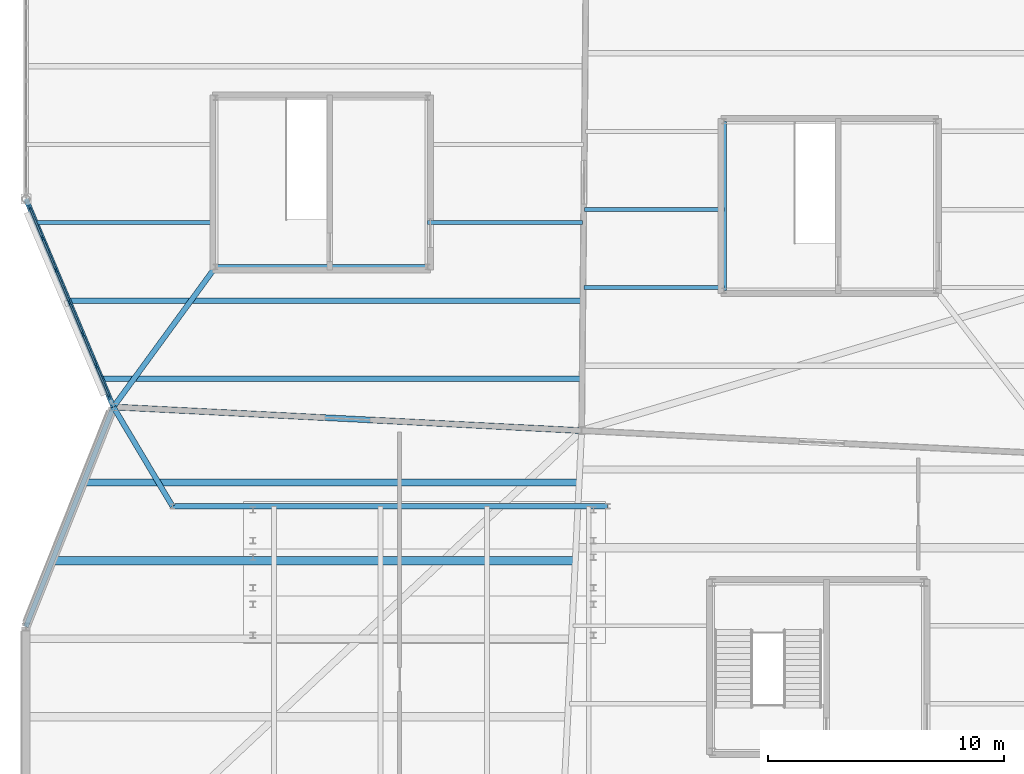
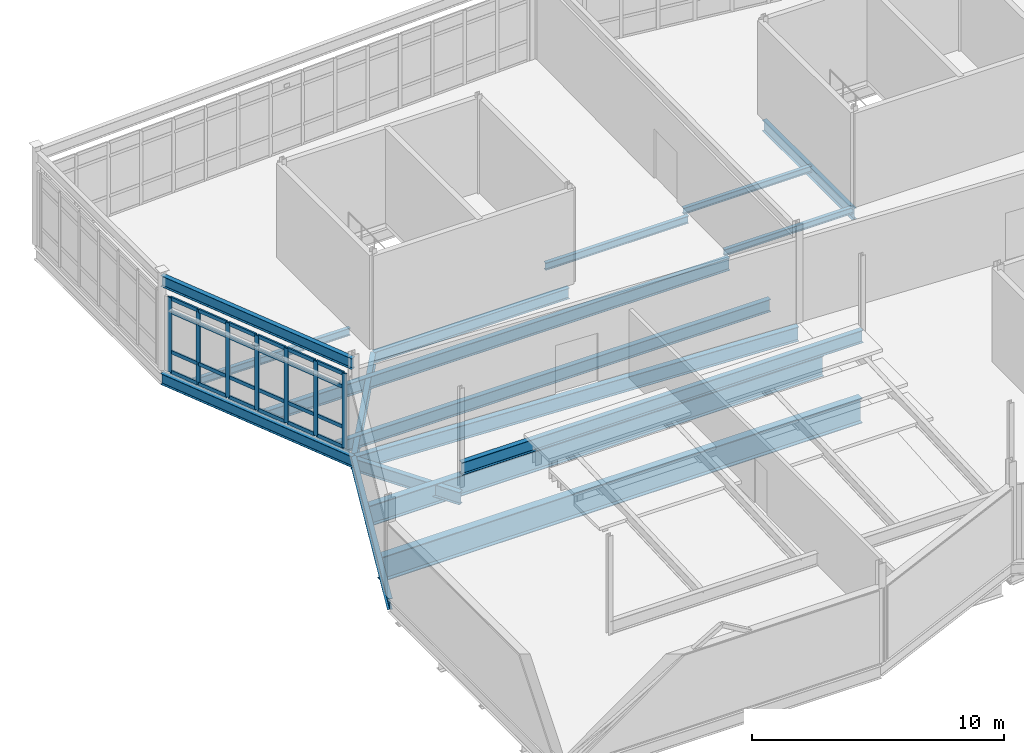
# One storey, part 26 of 134: 31 members, 17 beams, 1 element without a shape of its own.
"""IFC4 building model written with IfcOpenShell, lengths in metres."""

from ifc_helpers import new_model, si_unit, direction, frame, origin, origin_2d, place, context, subcontext, project, spatial, rectangle, i_section, extrude, material, material_profile, profile_set, type_object, element, aggregate, save


model = new_model("IFC4")

# Units and contexts
model_context = context("Model", 3, precision=1e-05, world=origin(), true_north=direction((0.0, 1.0)))
body_context = subcontext(model_context, "Body", "Model", "MODEL_VIEW")
ifc_project = project(units=[si_unit("LENGTHUNIT", "METRE"), si_unit("AREAUNIT", "SQUARE_METRE"), si_unit("VOLUMEUNIT", "CUBIC_METRE"), si_unit("PLANEANGLEUNIT", "RADIAN"), si_unit("MASSUNIT", "GRAM", prefix="KILO")], contexts=[model_context])

# Site, building, storey
site_placement = place(None, origin())
site = spatial("IfcSite", under=ifc_project, at=site_placement, CompositionType="ELEMENT")
building_placement = place(site_placement, origin())
building = spatial("IfcBuilding", under=site, at=building_placement, Name="Tameran Prism Museum", CompositionType="ELEMENT")
storey_placement = place(building_placement, frame((0.0, 0.0, 5.39990234375)))
storey = spatial("IfcBuildingStorey", under=building, at=storey_placement, Name="L01", CompositionType="ELEMENT", Elevation=5.39990234375)

# Beams
ifc_material_1 = material(Name="Steel Grade 300PLUS (300 MPa)", Category="steel")
ifc_material_profile_1 = material_profile(ifc_material_1, i_section(OverallWidth=0.166015625, OverallDepth=0.306884765625, WebThickness=0.006591796875, FlangeThickness=0.01171875, FilletRadius=0.011474609375, at=origin_2d()))
ifc_profile_set_1 = profile_set([ifc_material_profile_1])
beam_type_1 = type_object("IfcBeamType", Name="BM-J310A", PredefinedType="JOIST", material=ifc_profile_set_1)
beam_1_placement = place(storey_placement, frame((23.597900390625, 28.050048828125, -0.353515625), z_axis=(1.0, 0.0, 0.0), x_axis=(0.0, 1.0, 0.0)))
element("IfcBeam", 1, at=beam_1_placement, inside=storey, type_object=beam_type_1, Name="Floor Beam BM-0606", PredefinedType="JOIST", context=body_context, shape_type="SweptSolid", body=[
    extrude(i_section(OverallWidth=0.166015625, OverallDepth=0.306884765625, WebThickness=0.006591796875, FlangeThickness=0.01171875, FilletRadius=0.011474609375, at=origin_2d()), origin(), (0.0, 0.0, 1.0), 5.922119140625),
])
ifc_material_2 = material(Name="Steel Grade 300PLUS (300 MPa)", Category="steel")
ifc_material_profile_2 = material_profile(ifc_material_2, i_section(OverallWidth=0.1650390625, OverallDepth=0.303955078125, WebThickness=0.006103515625, FlangeThickness=0.01025390625, FilletRadius=0.011474609375, at=origin_2d()))
ifc_profile_set_2 = profile_set([ifc_material_profile_2])
beam_type_2 = type_object("IfcBeamType", Name="BM-J310B", PredefinedType="JOIST", material=ifc_profile_set_2)
beam_2_placement = place(storey_placement, frame((23.62890625, 31.35009765625, -0.351806640625), z_axis=(1.0, 0.0, 0.0), x_axis=(0.0, 1.0, 0.0)))
element("IfcBeam", 2, at=beam_2_placement, inside=storey, type_object=beam_type_2, Name="Floor Beam BM-0608", PredefinedType="JOIST", context=body_context, shape_type="SweptSolid", body=[
    extrude(i_section(OverallWidth=0.1650390625, OverallDepth=0.303955078125, WebThickness=0.006103515625, FlangeThickness=0.01025390625, FilletRadius=0.011474609375, at=origin_2d()), origin(), (0.0, 0.0, 1.0), 5.89111328125),
])
ifc_material_3 = material(Name="Steel Grade 300PLUS (300 MPa)", Category="steel")
ifc_material_profile_3 = material_profile(ifc_material_3, i_section(OverallWidth=0.1708984375, OverallDepth=0.35595703125, WebThickness=0.00732421875, FlangeThickness=0.011474609375, FilletRadius=0.011474609375, at=origin_2d()))
ifc_profile_set_3 = profile_set([ifc_material_profile_3])
beam_type_3 = type_object("IfcBeamType", Name="BM-J360B", PredefinedType="JOIST", material=ifc_profile_set_3)
beam_3_placement = place(storey_placement, frame((0.464111328125, 30.800048828125, -0.3779296875), z_axis=(1.0, 0.0, 0.0), x_axis=(0.0, 1.0, 0.0)))
element("IfcBeam", 3, at=beam_3_placement, inside=storey, type_object=beam_type_3, Name="Floor Beam BM-0599", PredefinedType="JOIST", context=body_context, shape_type="SweptSolid", body=[
    extrude(i_section(OverallWidth=0.1708984375, OverallDepth=0.35595703125, WebThickness=0.00732421875, FlangeThickness=0.011474609375, FilletRadius=0.011474609375, at=origin_2d()), origin(), (0.0, 0.0, 1.0), 7.555908203125),
])
beam_4_placement = place(storey_placement, frame((16.97998046875, 30.800048828125, -0.3779296875), z_axis=(1.0, 0.0, 0.0), x_axis=(0.0, 1.0, 0.0)))
element("IfcBeam", 4, at=beam_4_placement, inside=storey, type_object=beam_type_3, Name="Floor Beam BM-0600", PredefinedType="JOIST", context=body_context, shape_type="SweptSolid", body=[
    extrude(i_section(OverallWidth=0.1708984375, OverallDepth=0.35595703125, WebThickness=0.00732421875, FlangeThickness=0.011474609375, FilletRadius=0.011474609375, at=origin_2d()), origin(), (0.0, 0.0, 1.0), 6.56396484375),
])
ifc_material_4 = material(Name="Steel Grade 300PLUS (300 MPa)", Category="steel")
ifc_material_profile_4 = material_profile(ifc_material_4, i_section(OverallWidth=0.208984375, OverallDepth=0.532958984375, WebThickness=0.01025390625, FlangeThickness=0.015625, FilletRadius=0.013916015625, at=origin_2d()))
ifc_profile_set_4 = profile_set([ifc_material_profile_4])
beam_type_4 = type_object("IfcBeamType", Name="BM-SP530A", PredefinedType="SPANDREL", material=ifc_profile_set_4)
beam_5_placement = place(storey_placement, frame((3.699951171875, 23.0, -0.46630859375), z_axis=(-0.369661561468, -0.929166470538, 0.0), x_axis=(0.929166470538, -0.369661561468, 0.0)))
element("IfcBeam", 5, at=beam_5_placement, inside=storey, type_object=beam_type_4, Name="Perimeter Spandrel SP-0385", PredefinedType="SPANDREL", context=body_context, shape_type="SweptSolid", body=[
    extrude(i_section(OverallWidth=0.208984375, OverallDepth=0.532958984375, WebThickness=0.01025390625, FlangeThickness=0.015625, FilletRadius=0.013916015625, at=origin_2d()), origin(), (0.0, 0.0, 1.0), 10.009033203125),
])
beam_6_placement = place(storey_placement, frame((0.0, 31.800048828125, -0.46630859375), z_axis=(0.387582465314, -0.921835035449, 0.0), x_axis=(0.921835035449, 0.387582465314, 0.0)))
element("IfcBeam", 6, at=beam_6_placement, inside=storey, type_object=beam_type_4, Name="Perimeter Spandrel SP-0399", PredefinedType="SPANDREL", context=body_context, shape_type="SweptSolid", body=[
    extrude(i_section(OverallWidth=0.208984375, OverallDepth=0.532958984375, WebThickness=0.01025390625, FlangeThickness=0.015625, FilletRadius=0.013916015625, at=origin_2d()), origin(), (0.0, 0.0, 1.0), 9.546142578125),
])
ifc_material_5 = material(Name="Steel Grade 300PLUS (300 MPa)", Category="steel")
ifc_material_profile_5 = material_profile(ifc_material_5, i_section(OverallWidth=0.208984375, OverallDepth=0.528076171875, WebThickness=0.009521484375, FlangeThickness=0.01318359375, FilletRadius=0.013916015625, at=origin_2d()))
ifc_profile_set_5 = profile_set([ifc_material_profile_5])
beam_type_5 = type_object("IfcBeamType", Name="BM-SP530B", PredefinedType="SPANDREL", material=ifc_profile_set_5)
beam_7_placement = place(storey_placement, frame((0.0, 31.800048828125, 4.2861328125), z_axis=(0.387582465314, -0.921835035449, 0.0), x_axis=(0.921835035449, 0.387582465314, 0.0)))
element("IfcBeam", 7, at=beam_7_placement, inside=storey, type_object=beam_type_5, Name="Roof Ring Beam RB-0403", PredefinedType="SPANDREL", context=body_context, shape_type="SweptSolid", body=[
    extrude(i_section(OverallWidth=0.208984375, OverallDepth=0.528076171875, WebThickness=0.009521484375, FlangeThickness=0.01318359375, FilletRadius=0.013916015625, at=origin_2d()), origin(), (0.0, 0.0, 1.0), 9.546142578125),
])
beam_8_placement = place(storey_placement, frame((8.02001953125, 28.919921875, -0.50390625), z_axis=(1.0, 0.0, 0.0), x_axis=(0.0, 1.0, 0.0)))
element("IfcBeam", 8, at=beam_8_placement, inside=storey, type_object=beam_type_5, Name="Core Ring Beam CTB-0474", PredefinedType="SPANDREL", context=body_context, shape_type="SweptSolid", body=[
    extrude(i_section(OverallWidth=0.208984375, OverallDepth=0.528076171875, WebThickness=0.009521484375, FlangeThickness=0.01318359375, FilletRadius=0.013916015625, at=origin_2d()), origin(), (0.0, 0.0, 1.0), 8.9599609375),
])
beam_9_placement = place(storey_placement, frame((29.52001953125, 35.080078125, -0.50390625), z_axis=(0.0, -1.0, 0.0), x_axis=(1.0, 0.0, 0.0)))
element("IfcBeam", 9, at=beam_9_placement, inside=storey, type_object=beam_type_5, Name="Core Ring Beam CTB-0485", PredefinedType="SPANDREL", context=body_context, shape_type="SweptSolid", body=[
    extrude(i_section(OverallWidth=0.208984375, OverallDepth=0.528076171875, WebThickness=0.009521484375, FlangeThickness=0.01318359375, FilletRadius=0.013916015625, at=origin_2d()), origin(), (0.0, 0.0, 1.0), 7.16015625),
])
ifc_material_6 = material(Name="Steel Grade 350 (350 MPa)", Category="steel")
ifc_material_profile_6 = material_profile(ifc_material_6, i_section(OverallWidth=0.25, OverallDepth=0.699951171875, WebThickness=0.010009765625, FlangeThickness=0.02001953125, at=origin_2d()))
ifc_profile_set_6 = profile_set([ifc_material_profile_6])
beam_type_6 = type_object("IfcBeamType", Name="BM-SP700", PredefinedType="SPANDREL", material=ifc_profile_set_6)
beam_10_placement = place(storey_placement, frame((23.5, 22.0, -0.5498046875), z_axis=(-0.99872706092, 0.050440636263, 0.0), x_axis=(-0.050440636263, -0.99872706092, 0.0)))
element("IfcBeam", 10, at=beam_10_placement, inside=storey, type_object=beam_type_6, Name="Perimeter Spandrel SP-0384", PredefinedType="SPANDREL", context=body_context, shape_type="SweptSolid", body=[
    extrude(i_section(OverallWidth=0.25, OverallDepth=0.699951171875, WebThickness=0.010009765625, FlangeThickness=0.02001953125, at=origin_2d()), origin(), (0.0, 0.0, 1.0), 19.8251953125),
])
ifc_material_7 = material(Name="Steel Grade 300PLUS (300 MPa)", Category="steel")
ifc_material_profile_7 = material_profile(ifc_material_7, i_section(OverallWidth=0.22900390625, OverallDepth=0.612060546875, WebThickness=0.011962890625, FlangeThickness=0.01953125, FilletRadius=0.013916015625, at=origin_2d()))
ifc_profile_set_7 = profile_set([ifc_material_profile_7])
beam_type_7 = type_object("IfcBeamType", Name="BM-UB610A", PredefinedType="BEAM", material=ifc_profile_set_7)
beam_11_placement = place(storey_placement, frame((8.02001953125, 28.919921875, -0.559814453125), z_axis=(-0.589480232684, -0.807782802042, 0.0), x_axis=(0.807782802042, -0.589480232684, 0.0)))
element("IfcBeam", 11, at=beam_11_placement, inside=storey, type_object=beam_type_7, Name="Frame Tie Girder FG-1427", PredefinedType="BEAM", context=body_context, shape_type="SweptSolid", body=[
    extrude(i_section(OverallWidth=0.22900390625, OverallDepth=0.612060546875, WebThickness=0.011962890625, FlangeThickness=0.01953125, FilletRadius=0.013916015625, at=origin_2d()), origin(), (0.0, 0.0, 1.0), 7.32861328125),
])
beam_12_placement = place(storey_placement, frame((6.199951171875, 18.800048828125, -0.559814453125), z_axis=(-0.511488250512, 0.859290270856, 0.0), x_axis=(-0.859290270856, -0.511488250512, 0.0)))
element("IfcBeam", 12, at=beam_12_placement, inside=storey, type_object=beam_type_7, Name="Frame Tie Girder FG-1439", PredefinedType="BEAM", context=body_context, shape_type="SweptSolid", body=[
    extrude(i_section(OverallWidth=0.22900390625, OverallDepth=0.612060546875, WebThickness=0.011962890625, FlangeThickness=0.01953125, FilletRadius=0.013916015625, at=origin_2d()), origin(), (0.0, 0.0, 1.0), 4.8876953125),
])
beam_13_placement = place(storey_placement, frame((6.199951171875, 18.800048828125, 0.880126953125), z_axis=(1.0, 0.0, 0.0), x_axis=(0.0, 1.0, 0.0)))
element("IfcBeam", 13, at=beam_13_placement, inside=storey, type_object=beam_type_7, Name="Auditorium Raker Rear Girder RKH-1447", PredefinedType="BEAM", context=body_context, shape_type="SweptSolid", body=[
    extrude(i_section(OverallWidth=0.22900390625, OverallDepth=0.612060546875, WebThickness=0.011962890625, FlangeThickness=0.01953125, FilletRadius=0.013916015625, at=origin_2d()), origin(), (0.0, 0.0, 1.0), 18.400146484375),
])
ifc_material_8 = material(Name="Steel Grade 300PLUS (300 MPa)", Category="steel")
ifc_material_profile_8 = material_profile(ifc_material_8, i_section(OverallWidth=0.22802734375, OverallDepth=0.60693359375, WebThickness=0.01123046875, FlangeThickness=0.017333984375, FilletRadius=0.013916015625, at=origin_2d()))
ifc_profile_set_8 = profile_set([ifc_material_profile_8])
beam_type_8 = type_object("IfcBeamType", Name="BM-UB610B", PredefinedType="BEAM", material=ifc_profile_set_8)
beam_14_placement = place(storey_placement, frame((3.239013671875, 24.199951171875, -0.50341796875), z_axis=(1.0, 0.0, 0.0), x_axis=(0.0, 1.0, 0.0)))
element("IfcBeam", 14, at=beam_14_placement, inside=storey, type_object=beam_type_8, Name="Floor Beam BM-0597", PredefinedType="BEAM", context=body_context, shape_type="SweptSolid", body=[
    extrude(i_section(OverallWidth=0.22802734375, OverallDepth=0.60693359375, WebThickness=0.01123046875, FlangeThickness=0.017333984375, FilletRadius=0.013916015625, at=origin_2d()), origin(), (0.0, 0.0, 1.0), 20.241943359375),
])
beam_15_placement = place(storey_placement, frame((1.85107421875, 27.5, -0.50341796875), z_axis=(1.0, 0.0, 0.0), x_axis=(0.0, 1.0, 0.0)))
element("IfcBeam", 15, at=beam_15_placement, inside=storey, type_object=beam_type_8, Name="Floor Beam BM-0598", PredefinedType="BEAM", context=body_context, shape_type="SweptSolid", body=[
    extrude(i_section(OverallWidth=0.22802734375, OverallDepth=0.60693359375, WebThickness=0.01123046875, FlangeThickness=0.017333984375, FilletRadius=0.013916015625, at=origin_2d()), origin(), (0.0, 0.0, 1.0), 21.660888671875),
])
ifc_material_9 = material(Name="Steel Grade 350 (350 MPa)", Category="steel")
ifc_material_profile_9 = material_profile(ifc_material_9, i_section(OverallWidth=0.300048828125, OverallDepth=1.0, WebThickness=0.01611328125, FlangeThickness=0.031982421875, at=origin_2d()))
ifc_profile_set_9 = profile_set([ifc_material_profile_9])
beam_type_9 = type_object("IfcBeamType", Name="BM-WB1000", PredefinedType="BEAM", material=ifc_profile_set_9)
beam_16_placement = place(storey_placement, frame((2.469970703125, 19.800048828125, -0.699951171875), z_axis=(1.0, 0.0, 0.0), x_axis=(0.0, 1.0, 0.0)))
element("IfcBeam", 16, at=beam_16_placement, inside=storey, type_object=beam_type_9, Name="Floor Beam BM-0588", PredefinedType="BEAM", context=body_context, shape_type="SweptSolid", body=[
    extrude(i_section(OverallWidth=0.300048828125, OverallDepth=1.0, WebThickness=0.01611328125, FlangeThickness=0.031982421875, at=origin_2d()), origin(), (0.0, 0.0, 1.0), 20.883056640625),
])
ifc_material_10 = material(Name="Steel Grade 350 (350 MPa)", Category="steel")
ifc_material_profile_10 = material_profile(ifc_material_10, i_section(OverallWidth=0.35009765625, OverallDepth=1.199951171875, WebThickness=0.01611328125, FlangeThickness=0.035888671875, at=origin_2d()))
ifc_profile_set_10 = profile_set([ifc_material_profile_10])
beam_type_10 = type_object("IfcBeamType", Name="BM-WB1200", PredefinedType="BEAM", material=ifc_profile_set_10)
beam_17_placement = place(storey_placement, frame((1.156982421875, 16.5, -0.7998046875), z_axis=(1.0, 0.0, 0.0), x_axis=(0.0, 1.0, 0.0)))
element("IfcBeam", 17, at=beam_17_placement, inside=storey, type_object=beam_type_10, Name="Floor Beam BM-0587", PredefinedType="BEAM", context=body_context, shape_type="SweptSolid", body=[
    extrude(i_section(OverallWidth=0.35009765625, OverallDepth=1.199951171875, WebThickness=0.01611328125, FlangeThickness=0.035888671875, at=origin_2d()), origin(), (0.0, 0.0, 1.0), 22.034912109375),
])

# Curtain wall, members
ifc_material_11 = material(Name="Anodised Aluminium 6063-T6 and Cyclone Solar Glass", Category="aluminium")
curtain_wall_type = type_object("IfcCurtainWallType", Name="CW-FAC-879x362", PredefinedType="USERDEFINED", material=ifc_material_11)
curtain_wall_placement = place(storey_placement, origin())
curtain_wall = element("IfcCurtainWall", 18, at=curtain_wall_placement, inside=storey, type_object=curtain_wall_type, Name="Unitised Curtain Wall CW-089", ObjectType="UNITISED CURTAIN WALL", PredefinedType="USERDEFINED")
ifc_material_12 = material(Name="Anodised Aluminium Alloy 6063-T6", Category="aluminium")
ifc_material_profile_11 = material_profile(ifc_material_12, rectangle(XDim=0.074951171875, YDim=0.199951171875, at=origin_2d()))
ifc_profile_set_11 = profile_set([ifc_material_profile_11])
member_type_1 = type_object("IfcMemberType", Name="CW-MUL-C", PredefinedType="MULLION", material=ifc_profile_set_11)
member_1_placement = place(storey_placement, frame((3.5263671875, 23.41259765625, 0.0), z_axis=(0.0, 0.0, 1.0), x_axis=(-0.921843068253, -0.387563359353, 0.0)))
member_1 = element("IfcMember", 19, at=member_1_placement, type_object=member_type_1, Name="CW-089 mullion 1", PredefinedType="MULLION", context=body_context, shape_type="SweptSolid", body=[
    extrude(rectangle(XDim=0.074951171875, YDim=0.199951171875, at=origin_2d()), origin(), (0.0, 0.0, 1.0), 3.6201171875),
])
member_2_placement = place(storey_placement, frame((2.973388671875, 24.727783203125, 0.0), z_axis=(0.0, 0.0, 1.0), x_axis=(-0.921843068253, -0.387563359353, 0.0)))
member_2 = element("IfcMember", 20, at=member_2_placement, type_object=member_type_1, Name="CW-089 mullion 2", PredefinedType="MULLION", context=body_context, shape_type="SweptSolid", body=[
    extrude(rectangle(XDim=0.074951171875, YDim=0.199951171875, at=origin_2d()), origin(), (0.0, 0.0, 1.0), 3.6201171875),
])
member_3_placement = place(storey_placement, frame((2.406005859375, 26.07763671875, 0.0), z_axis=(0.0, 0.0, 1.0), x_axis=(-0.921843068253, -0.387563359353, 0.0)))
member_3 = element("IfcMember", 21, at=member_3_placement, type_object=member_type_1, Name="CW-089 mullion 3", PredefinedType="MULLION", context=body_context, shape_type="SweptSolid", body=[
    extrude(rectangle(XDim=0.074951171875, YDim=0.199951171875, at=origin_2d()), origin(), (0.0, 0.0, 1.0), 3.6201171875),
])
member_4_placement = place(storey_placement, frame((1.83837890625, 27.427490234375, 0.0), z_axis=(0.0, 0.0, 1.0), x_axis=(-0.921843068253, -0.387563359353, 0.0)))
member_4 = element("IfcMember", 22, at=member_4_placement, type_object=member_type_1, Name="CW-089 mullion 4", PredefinedType="MULLION", context=body_context, shape_type="SweptSolid", body=[
    extrude(rectangle(XDim=0.074951171875, YDim=0.199951171875, at=origin_2d()), origin(), (0.0, 0.0, 1.0), 3.6201171875),
])
member_5_placement = place(storey_placement, frame((1.27099609375, 28.77734375, 0.0), z_axis=(0.0, 0.0, 1.0), x_axis=(-0.921843068253, -0.387563359353, 0.0)))
member_5 = element("IfcMember", 23, at=member_5_placement, type_object=member_type_1, Name="CW-089 mullion 5", PredefinedType="MULLION", context=body_context, shape_type="SweptSolid", body=[
    extrude(rectangle(XDim=0.074951171875, YDim=0.199951171875, at=origin_2d()), origin(), (0.0, 0.0, 1.0), 3.6201171875),
])
member_6_placement = place(storey_placement, frame((0.70361328125, 30.127197265625, 0.0), z_axis=(0.0, 0.0, 1.0), x_axis=(-0.921843068253, -0.387563359353, 0.0)))
member_6 = element("IfcMember", 24, at=member_6_placement, type_object=member_type_1, Name="CW-089 mullion 6", PredefinedType="MULLION", context=body_context, shape_type="SweptSolid", body=[
    extrude(rectangle(XDim=0.074951171875, YDim=0.199951171875, at=origin_2d()), origin(), (0.0, 0.0, 1.0), 3.6201171875),
])
member_7_placement = place(storey_placement, frame((0.150634765625, 31.4423828125, 0.0), z_axis=(0.0, 0.0, 1.0), x_axis=(-0.921843068253, -0.387563359353, 0.0)))
member_7 = element("IfcMember", 25, at=member_7_placement, type_object=member_type_1, Name="CW-089 mullion 7", PredefinedType="MULLION", context=body_context, shape_type="SweptSolid", body=[
    extrude(rectangle(XDim=0.074951171875, YDim=0.199951171875, at=origin_2d()), origin(), (0.0, 0.0, 1.0), 3.6201171875),
])
ifc_material_13 = material(Name="Anodised Aluminium Alloy 6063-T6", Category="aluminium")
ifc_material_profile_12 = material_profile(ifc_material_13, rectangle(XDim=0.074951171875, YDim=0.175048828125, at=origin_2d()))
ifc_profile_set_12 = profile_set([ifc_material_profile_12])
member_type_2 = type_object("IfcMemberType", Name="CW-TRN-C", PredefinedType="USERDEFINED", material=ifc_profile_set_12)
member_8_placement = place(storey_placement, frame((3.511962890625, 23.447021484375, 0.03759765625), z_axis=(-0.387524118757, 0.921859564891, 0.0), x_axis=(-0.921859564891, -0.387524118757, 0.0)))
member_8 = element("IfcMember", 26, at=member_8_placement, type_object=member_type_2, Name="CW-089 transom 1.1", ObjectType="TRANSOM", PredefinedType="USERDEFINED", context=body_context, shape_type="SweptSolid", body=[
    extrude(rectangle(XDim=0.074951171875, YDim=0.175048828125, at=origin_2d()), origin(), (0.0, 0.0, 1.0), 1.35205078125),
])
member_9_placement = place(storey_placement, frame((3.511962890625, 23.447021484375, 1.0), z_axis=(-0.387524118757, 0.921859564891, 0.0), x_axis=(-0.921859564891, -0.387524118757, 0.0)))
member_9 = element("IfcMember", 27, at=member_9_placement, type_object=member_type_2, Name="CW-089 transom 1.2", ObjectType="TRANSOM", PredefinedType="USERDEFINED", context=body_context, shape_type="SweptSolid", body=[
    extrude(rectangle(XDim=0.074951171875, YDim=0.175048828125, at=origin_2d()), origin(), (0.0, 0.0, 1.0), 1.35205078125),
])
member_10_placement = place(storey_placement, frame((3.511962890625, 23.447021484375, 2.940185546875), z_axis=(-0.387524118757, 0.921859564891, 0.0), x_axis=(-0.921859564891, -0.387524118757, 0.0)))
member_10 = element("IfcMember", 28, at=member_10_placement, type_object=member_type_2, Name="CW-089 transom 1.3", ObjectType="TRANSOM", PredefinedType="USERDEFINED", context=body_context, shape_type="SweptSolid", body=[
    extrude(rectangle(XDim=0.074951171875, YDim=0.175048828125, at=origin_2d()), origin(), (0.0, 0.0, 1.0), 1.35205078125),
])
member_11_placement = place(storey_placement, frame((3.511962890625, 23.447021484375, 3.58251953125), z_axis=(-0.387524118757, 0.921859564891, 0.0), x_axis=(-0.921859564891, -0.387524118757, 0.0)))
member_11 = element("IfcMember", 29, at=member_11_placement, type_object=member_type_2, Name="CW-089 transom 1.4", ObjectType="TRANSOM", PredefinedType="USERDEFINED", context=body_context, shape_type="SweptSolid", body=[
    extrude(rectangle(XDim=0.074951171875, YDim=0.175048828125, at=origin_2d()), origin(), (0.0, 0.0, 1.0), 1.35205078125),
])
member_12_placement = place(storey_placement, frame((2.958984375, 24.762451171875, 0.03759765625), z_axis=(-0.387483426715, 0.921876669637, 0.0), x_axis=(-0.921876669637, -0.387483426715, 0.0)))
member_12 = element("IfcMember", 30, at=member_12_placement, type_object=member_type_2, Name="CW-089 transom 2.1", ObjectType="TRANSOM", PredefinedType="USERDEFINED", context=body_context, shape_type="SweptSolid", body=[
    extrude(rectangle(XDim=0.074951171875, YDim=0.175048828125, at=origin_2d()), origin(), (0.0, 0.0, 1.0), 1.389404296875),
])
member_13_placement = place(storey_placement, frame((2.958984375, 24.762451171875, 1.0), z_axis=(-0.387483426715, 0.921876669637, 0.0), x_axis=(-0.921876669637, -0.387483426715, 0.0)))
member_13 = element("IfcMember", 31, at=member_13_placement, type_object=member_type_2, Name="CW-089 transom 2.2", ObjectType="TRANSOM", PredefinedType="USERDEFINED", context=body_context, shape_type="SweptSolid", body=[
    extrude(rectangle(XDim=0.074951171875, YDim=0.175048828125, at=origin_2d()), origin(), (0.0, 0.0, 1.0), 1.389404296875),
])
member_14_placement = place(storey_placement, frame((2.958984375, 24.762451171875, 2.940185546875), z_axis=(-0.387483426715, 0.921876669637, 0.0), x_axis=(-0.921876669637, -0.387483426715, 0.0)))
member_14 = element("IfcMember", 32, at=member_14_placement, type_object=member_type_2, Name="CW-089 transom 2.3", ObjectType="TRANSOM", PredefinedType="USERDEFINED", context=body_context, shape_type="SweptSolid", body=[
    extrude(rectangle(XDim=0.074951171875, YDim=0.175048828125, at=origin_2d()), origin(), (0.0, 0.0, 1.0), 1.389404296875),
])
member_15_placement = place(storey_placement, frame((2.958984375, 24.762451171875, 3.58251953125), z_axis=(-0.387483426715, 0.921876669637, 0.0), x_axis=(-0.921876669637, -0.387483426715, 0.0)))
member_15 = element("IfcMember", 33, at=member_15_placement, type_object=member_type_2, Name="CW-089 transom 2.4", ObjectType="TRANSOM", PredefinedType="USERDEFINED", context=body_context, shape_type="SweptSolid", body=[
    extrude(rectangle(XDim=0.074951171875, YDim=0.175048828125, at=origin_2d()), origin(), (0.0, 0.0, 1.0), 1.389404296875),
])
member_16_placement = place(storey_placement, frame((2.391357421875, 26.1123046875, 0.03759765625), z_axis=(-0.387546208642, 0.921850278607, 0.0), x_axis=(-0.921850278607, -0.387546208642, 0.0)))
member_16 = element("IfcMember", 34, at=member_16_placement, type_object=member_type_2, Name="CW-089 transom 3.1", ObjectType="TRANSOM", PredefinedType="USERDEFINED", context=body_context, shape_type="SweptSolid", body=[
    extrude(rectangle(XDim=0.074951171875, YDim=0.175048828125, at=origin_2d()), origin(), (0.0, 0.0, 1.0), 1.38916015625),
])
member_17_placement = place(storey_placement, frame((2.391357421875, 26.1123046875, 1.0), z_axis=(-0.387546208642, 0.921850278607, 0.0), x_axis=(-0.921850278607, -0.387546208642, 0.0)))
member_17 = element("IfcMember", 35, at=member_17_placement, type_object=member_type_2, Name="CW-089 transom 3.2", ObjectType="TRANSOM", PredefinedType="USERDEFINED", context=body_context, shape_type="SweptSolid", body=[
    extrude(rectangle(XDim=0.074951171875, YDim=0.175048828125, at=origin_2d()), origin(), (0.0, 0.0, 1.0), 1.38916015625),
])
member_18_placement = place(storey_placement, frame((2.391357421875, 26.1123046875, 2.940185546875), z_axis=(-0.387546208642, 0.921850278607, 0.0), x_axis=(-0.921850278607, -0.387546208642, 0.0)))
member_18 = element("IfcMember", 36, at=member_18_placement, type_object=member_type_2, Name="CW-089 transom 3.3", ObjectType="TRANSOM", PredefinedType="USERDEFINED", context=body_context, shape_type="SweptSolid", body=[
    extrude(rectangle(XDim=0.074951171875, YDim=0.175048828125, at=origin_2d()), origin(), (0.0, 0.0, 1.0), 1.38916015625),
])
member_19_placement = place(storey_placement, frame((2.391357421875, 26.1123046875, 3.58251953125), z_axis=(-0.387546208642, 0.921850278607, 0.0), x_axis=(-0.921850278607, -0.387546208642, 0.0)))
member_19 = element("IfcMember", 37, at=member_19_placement, type_object=member_type_2, Name="CW-089 transom 3.4", ObjectType="TRANSOM", PredefinedType="USERDEFINED", context=body_context, shape_type="SweptSolid", body=[
    extrude(rectangle(XDim=0.074951171875, YDim=0.175048828125, at=origin_2d()), origin(), (0.0, 0.0, 1.0), 1.38916015625),
])
member_20_placement = place(storey_placement, frame((1.823974609375, 27.462158203125, 0.03759765625), z_axis=(-0.387546208642, 0.921850278607, 0.0), x_axis=(-0.921850278607, -0.387546208642, 0.0)))
member_20 = element("IfcMember", 38, at=member_20_placement, type_object=member_type_2, Name="CW-089 transom 4.1", ObjectType="TRANSOM", PredefinedType="USERDEFINED", context=body_context, shape_type="SweptSolid", body=[
    extrude(rectangle(XDim=0.074951171875, YDim=0.175048828125, at=origin_2d()), origin(), (0.0, 0.0, 1.0), 1.38916015625),
])
member_21_placement = place(storey_placement, frame((1.823974609375, 27.462158203125, 1.0), z_axis=(-0.387546208642, 0.921850278607, 0.0), x_axis=(-0.921850278607, -0.387546208642, 0.0)))
member_21 = element("IfcMember", 39, at=member_21_placement, type_object=member_type_2, Name="CW-089 transom 4.2", ObjectType="TRANSOM", PredefinedType="USERDEFINED", context=body_context, shape_type="SweptSolid", body=[
    extrude(rectangle(XDim=0.074951171875, YDim=0.175048828125, at=origin_2d()), origin(), (0.0, 0.0, 1.0), 1.38916015625),
])
member_22_placement = place(storey_placement, frame((1.823974609375, 27.462158203125, 2.940185546875), z_axis=(-0.387546208642, 0.921850278607, 0.0), x_axis=(-0.921850278607, -0.387546208642, 0.0)))
member_22 = element("IfcMember", 40, at=member_22_placement, type_object=member_type_2, Name="CW-089 transom 4.3", ObjectType="TRANSOM", PredefinedType="USERDEFINED", context=body_context, shape_type="SweptSolid", body=[
    extrude(rectangle(XDim=0.074951171875, YDim=0.175048828125, at=origin_2d()), origin(), (0.0, 0.0, 1.0), 1.38916015625),
])
member_23_placement = place(storey_placement, frame((1.823974609375, 27.462158203125, 3.58251953125), z_axis=(-0.387546208642, 0.921850278607, 0.0), x_axis=(-0.921850278607, -0.387546208642, 0.0)))
member_23 = element("IfcMember", 41, at=member_23_placement, type_object=member_type_2, Name="CW-089 transom 4.4", ObjectType="TRANSOM", PredefinedType="USERDEFINED", context=body_context, shape_type="SweptSolid", body=[
    extrude(rectangle(XDim=0.074951171875, YDim=0.175048828125, at=origin_2d()), origin(), (0.0, 0.0, 1.0), 1.38916015625),
])
member_24_placement = place(storey_placement, frame((1.25634765625, 28.81201171875, 0.03759765625), z_axis=(-0.387546208642, 0.921850278607, 0.0), x_axis=(-0.921850278607, -0.387546208642, 0.0)))
member_24 = element("IfcMember", 42, at=member_24_placement, type_object=member_type_2, Name="CW-089 transom 5.1", ObjectType="TRANSOM", PredefinedType="USERDEFINED", context=body_context, shape_type="SweptSolid", body=[
    extrude(rectangle(XDim=0.074951171875, YDim=0.175048828125, at=origin_2d()), origin(), (0.0, 0.0, 1.0), 1.38916015625),
])
member_25_placement = place(storey_placement, frame((1.25634765625, 28.81201171875, 1.0), z_axis=(-0.387546208642, 0.921850278607, 0.0), x_axis=(-0.921850278607, -0.387546208642, 0.0)))
member_25 = element("IfcMember", 43, at=member_25_placement, type_object=member_type_2, Name="CW-089 transom 5.2", ObjectType="TRANSOM", PredefinedType="USERDEFINED", context=body_context, shape_type="SweptSolid", body=[
    extrude(rectangle(XDim=0.074951171875, YDim=0.175048828125, at=origin_2d()), origin(), (0.0, 0.0, 1.0), 1.38916015625),
])
member_26_placement = place(storey_placement, frame((1.25634765625, 28.81201171875, 2.940185546875), z_axis=(-0.387546208642, 0.921850278607, 0.0), x_axis=(-0.921850278607, -0.387546208642, 0.0)))
member_26 = element("IfcMember", 44, at=member_26_placement, type_object=member_type_2, Name="CW-089 transom 5.3", ObjectType="TRANSOM", PredefinedType="USERDEFINED", context=body_context, shape_type="SweptSolid", body=[
    extrude(rectangle(XDim=0.074951171875, YDim=0.175048828125, at=origin_2d()), origin(), (0.0, 0.0, 1.0), 1.38916015625),
])
member_27_placement = place(storey_placement, frame((1.25634765625, 28.81201171875, 3.58251953125), z_axis=(-0.387546208642, 0.921850278607, 0.0), x_axis=(-0.921850278607, -0.387546208642, 0.0)))
member_27 = element("IfcMember", 45, at=member_27_placement, type_object=member_type_2, Name="CW-089 transom 5.4", ObjectType="TRANSOM", PredefinedType="USERDEFINED", context=body_context, shape_type="SweptSolid", body=[
    extrude(rectangle(XDim=0.074951171875, YDim=0.175048828125, at=origin_2d()), origin(), (0.0, 0.0, 1.0), 1.38916015625),
])
member_28_placement = place(storey_placement, frame((0.68896484375, 30.16162109375, 0.03759765625), z_axis=(-0.387524118757, 0.921859564891, 0.0), x_axis=(-0.921859564891, -0.387524118757, 0.0)))
member_28 = element("IfcMember", 46, at=member_28_placement, type_object=member_type_2, Name="CW-089 transom 6.1", ObjectType="TRANSOM", PredefinedType="USERDEFINED", context=body_context, shape_type="SweptSolid", body=[
    extrude(rectangle(XDim=0.074951171875, YDim=0.175048828125, at=origin_2d()), origin(), (0.0, 0.0, 1.0), 1.35205078125),
])
member_29_placement = place(storey_placement, frame((0.68896484375, 30.16162109375, 1.0), z_axis=(-0.387524118757, 0.921859564891, 0.0), x_axis=(-0.921859564891, -0.387524118757, 0.0)))
member_29 = element("IfcMember", 47, at=member_29_placement, type_object=member_type_2, Name="CW-089 transom 6.2", ObjectType="TRANSOM", PredefinedType="USERDEFINED", context=body_context, shape_type="SweptSolid", body=[
    extrude(rectangle(XDim=0.074951171875, YDim=0.175048828125, at=origin_2d()), origin(), (0.0, 0.0, 1.0), 1.35205078125),
])
member_30_placement = place(storey_placement, frame((0.68896484375, 30.16162109375, 2.940185546875), z_axis=(-0.387524118757, 0.921859564891, 0.0), x_axis=(-0.921859564891, -0.387524118757, 0.0)))
member_30 = element("IfcMember", 48, at=member_30_placement, type_object=member_type_2, Name="CW-089 transom 6.3", ObjectType="TRANSOM", PredefinedType="USERDEFINED", context=body_context, shape_type="SweptSolid", body=[
    extrude(rectangle(XDim=0.074951171875, YDim=0.175048828125, at=origin_2d()), origin(), (0.0, 0.0, 1.0), 1.35205078125),
])
member_31_placement = place(storey_placement, frame((0.68896484375, 30.16162109375, 3.58251953125), z_axis=(-0.387524118757, 0.921859564891, 0.0), x_axis=(-0.921859564891, -0.387524118757, 0.0)))
member_31 = element("IfcMember", 49, at=member_31_placement, type_object=member_type_2, Name="CW-089 transom 6.4", ObjectType="TRANSOM", PredefinedType="USERDEFINED", context=body_context, shape_type="SweptSolid", body=[
    extrude(rectangle(XDim=0.074951171875, YDim=0.175048828125, at=origin_2d()), origin(), (0.0, 0.0, 1.0), 1.35205078125),
])
aggregate(curtain_wall, [member_1, member_2, member_3, member_4, member_5, member_6, member_7, member_8, member_9, member_10, member_11, member_12, member_13, member_14, member_15, member_16, member_17, member_18, member_19, member_20, member_21, member_22, member_23, member_24, member_25, member_26, member_27, member_28, member_29, member_30, member_31])

save(model, "model.ifc")
